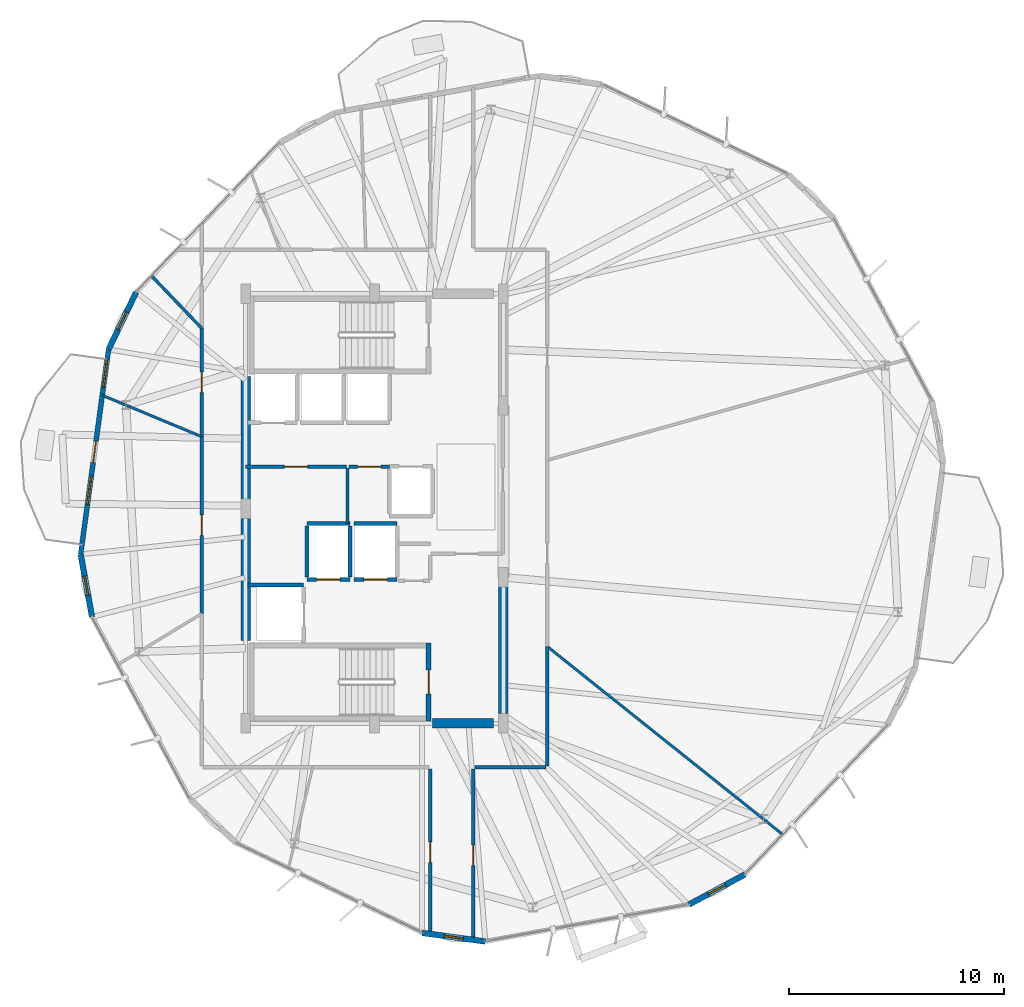
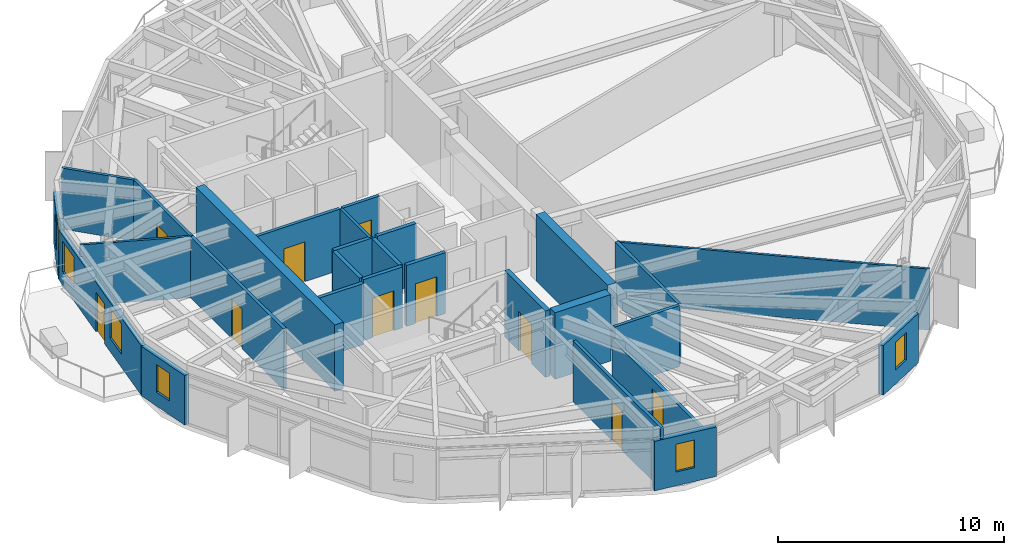
# One storey, part 22 of 27: 28 walls, 10 doors, 6 windows, 16 openings.
"""IFC4 building model written with IfcOpenShell, lengths in metres."""

from ifc_helpers import new_model, si_unit, direction, frame, frame_2d, origin, place, context, subcontext, project, spatial, rectangle, extrude, material, layer, layer_set, type_object, element, fill, save


model = new_model("IFC4")

# Units and contexts
model_context = context("Model", 3, precision=1e-05, world=origin(), true_north=direction((0.0, 1.0)))
body_context = subcontext(model_context, "Body", "Model", "MODEL_VIEW")
ifc_project = project(units=[si_unit("LENGTHUNIT", "METRE"), si_unit("AREAUNIT", "SQUARE_METRE"), si_unit("VOLUMEUNIT", "CUBIC_METRE"), si_unit("PLANEANGLEUNIT", "RADIAN"), si_unit("MASSUNIT", "GRAM", prefix="KILO")], contexts=[model_context])

# Site, building, storey
site_placement = place(None, origin())
site = spatial("IfcSite", under=ifc_project, at=site_placement, CompositionType="ELEMENT")
building_placement = place(site_placement, origin())
building = spatial("IfcBuilding", under=site, at=building_placement, Name="Soratama Intermodal Tower", CompositionType="ELEMENT")
storey_placement = place(building_placement, frame((0.0, 0.0, 208.60009765625)))
storey = spatial("IfcBuildingStorey", under=building, at=storey_placement, Name="L52", CompositionType="ELEMENT", Elevation=208.60009765625)

# Wall, openings, door, windows
ifc_material_1 = material(Name="Concrete f'c 42 MPa", Category="concrete")
ifc_layer_1 = layer(ifc_material_1, 0.22998046875)
ifc_layer_set_1 = layer_set([ifc_layer_1], Name="Concrete f'c 42 MPa")
wall_type_1 = type_object("IfcWallType", Name="EW-BAL-230", PredefinedType="SOLIDWALL", material=ifc_layer_set_1)
wall_1_placement = place(storey_placement, frame((26.216796875, 32.4091796875, 0.0), z_axis=(0.0, 0.0, 1.0), x_axis=(-0.134677360418, -0.990889503724, 0.0)))
wall_1 = element("IfcWall", 1, at=wall_1_placement, inside=storey, type_object=wall_type_1, Name="L52 Terrace Wall F04", PredefinedType="SOLIDWALL", context=body_context, shape_type="SweptSolid", body=[
    extrude(rectangle(XDim=9.6240234375, YDim=0.22998046875, at=frame_2d((4.81201171875, 0.0))), origin(), (0.0, 0.0, 1.0), 2.678955078125),
])
opening_1_placement = place(wall_1_placement, frame((4.31201171875, 0.0, 0.0)))
opening_1 = element("IfcOpeningElement", 2, at=opening_1_placement, cuts=wall_1, Name="Opening ED-2", PredefinedType="OPENING", context=body_context, shape_type="SweptSolid", body=[
    extrude(rectangle(XDim=1.0, YDim=2.14990234375, at=frame_2d((0.5, 1.074951171875))), frame((0.0, 0.125, 0.0), z_axis=(0.0, -1.0, 0.0), x_axis=(1.0, 0.0, 0.0)), (0.0, 0.0, 1.0), 0.25),
])
opening_2_placement = place(wall_1_placement, frame((0.43994140625, 0.0, 0.719970703125)))
opening_2 = element("IfcOpeningElement", 3, at=opening_2_placement, cuts=wall_1, Name="Opening WN-4", PredefinedType="OPENING", context=body_context, shape_type="SweptSolid", body=[
    extrude(rectangle(XDim=1.35009765625, YDim=1.64990234375, at=frame_2d((0.675048828125, 0.824951171875))), frame((0.0, 0.125, 0.0), z_axis=(0.0, -1.0, 0.0), x_axis=(1.0, 0.0, 0.0)), (0.0, 0.0, 1.0), 0.25),
])
opening_3_placement = place(wall_1_placement, frame((5.951904296875, 0.0, 0.719970703125)))
opening_3 = element("IfcOpeningElement", 4, at=opening_3_placement, cuts=wall_1, Name="Opening WN-4", PredefinedType="OPENING", context=body_context, shape_type="SweptSolid", body=[
    extrude(rectangle(XDim=1.35009765625, YDim=1.64990234375, at=frame_2d((0.675048828125, 0.824951171875))), frame((0.0, 0.125, 0.0), z_axis=(0.0, -1.0, 0.0), x_axis=(1.0, 0.0, 0.0)), (0.0, 0.0, 1.0), 0.25),
])
ifc_material_2 = material(Name="Double-glazed aluminium door", Category="aluminium")
door_type_1 = type_object("IfcDoorType", Name="DR-BAL-1000", OperationType="NOTDEFINED", PredefinedType="DOOR", material=ifc_material_2)
door_1_placement = place(opening_1_placement, origin())
door_1 = element("IfcDoor", 5, at=door_1_placement, inside=storey, type_object=door_type_1, Name="L52 Balcony Door F04", OperationType="SINGLE_SWING_RIGHT", OverallHeight=2.14990234375, OverallWidth=1.0, PredefinedType="DOOR", context=body_context, shape_type="SweptSolid", body=[
    extrude(rectangle(XDim=1.0, YDim=2.14990234375, at=frame_2d((0.5, 1.074951171875))), frame((0.0, 0.02490234375, 0.0), z_axis=(0.0, -1.0, 0.0), x_axis=(1.0, 0.0, 0.0)), (0.0, 0.0, 1.0), 0.050048828125),
])
fill(opening_1, door_1)
ifc_material_3 = material(Name="Double-glazed aluminium window", Category="aluminium")
window_type_1 = type_object("IfcWindowType", Name="WN-FAC-1350", PartitioningType="SINGLE_PANEL", PredefinedType="WINDOW", material=ifc_material_3)
window_1_placement = place(opening_2_placement, origin())
window_1 = element("IfcWindow", 6, at=window_1_placement, inside=storey, type_object=window_type_1, Name="L52 Window A F04", OverallHeight=1.64990234375, OverallWidth=1.35009765625, PartitioningType="SINGLE_PANEL", PredefinedType="WINDOW", context=body_context, shape_type="SweptSolid", body=[
    extrude(rectangle(XDim=1.35009765625, YDim=1.64990234375, at=frame_2d((0.675048828125, 0.824951171875))), frame((0.0, 0.030029296875, 0.0), z_axis=(0.0, -1.0, 0.0), x_axis=(1.0, 0.0, 0.0)), (0.0, 0.0, 1.0), 0.06005859375),
])
fill(opening_2, window_1)
window_2_placement = place(opening_3_placement, origin())
window_2 = element("IfcWindow", 7, at=window_2_placement, inside=storey, type_object=window_type_1, Name="L52 Window B F04", OverallHeight=1.64990234375, OverallWidth=1.35009765625, PartitioningType="SINGLE_PANEL", PredefinedType="WINDOW", context=body_context, shape_type="SweptSolid", body=[
    extrude(rectangle(XDim=1.35009765625, YDim=1.64990234375, at=frame_2d((0.675048828125, 0.824951171875))), frame((0.0, 0.030029296875, 0.0), z_axis=(0.0, -1.0, 0.0), x_axis=(1.0, 0.0, 0.0)), (0.0, 0.0, 1.0), 0.06005859375),
])
fill(opening_3, window_2)

# Wall, opening, window
ifc_material_4 = material(Name="Concrete f'c 42 MPa", Category="concrete")
ifc_layer_2 = layer(ifc_material_4, 0.27001953125)
ifc_layer_set_2 = layer_set([ifc_layer_2], Name="Concrete f'c 42 MPa")
wall_type_2 = type_object("IfcWallType", Name="EW-CRN-270", PredefinedType="SOLIDWALL", material=ifc_layer_set_2)
wall_2_placement = place(storey_placement, frame((27.505126953125, 35.081298828125, 0.0), z_axis=(0.0, 0.0, 1.0), x_axis=(-0.434295608334, -0.900770406142, 0.0)))
wall_2 = element("IfcWall", 8, at=wall_2_placement, inside=storey, type_object=wall_type_2, Name="L52 Corner Closure Wall 03", PredefinedType="SOLIDWALL", context=body_context, shape_type="SweptSolid", body=[
    extrude(rectangle(XDim=2.966552734375, YDim=0.27001953125, at=frame_2d((1.4833984375, 0.0))), origin(), (0.0, 0.0, 1.0), 2.678955078125),
])
opening_4_placement = place(wall_2_placement, frame((1.033203125, 0.0, 0.75)))
opening_4 = element("IfcOpeningElement", 9, at=opening_4_placement, cuts=wall_2, Name="Opening WN-6", PredefinedType="OPENING", context=body_context, shape_type="SweptSolid", body=[
    extrude(rectangle(XDim=0.89990234375, YDim=1.5, at=frame_2d((0.449951171875, 0.75))), frame((0.0, 0.14501953125, 0.0), z_axis=(0.0, -1.0, 0.0), x_axis=(1.0, 0.0, 0.0)), (0.0, 0.0, 1.0), 0.2900390625),
])
ifc_material_5 = material(Name="Double-glazed aluminium window", Category="aluminium")
window_type_2 = type_object("IfcWindowType", Name="WN-FAC-900", PartitioningType="SINGLE_PANEL", PredefinedType="WINDOW", material=ifc_material_5)
window_3_placement = place(opening_4_placement, origin())
window_3 = element("IfcWindow", 10, at=window_3_placement, inside=storey, type_object=window_type_2, Name="L52 Corner Window 03", OverallHeight=1.5, OverallWidth=0.89990234375, PartitioningType="SINGLE_PANEL", PredefinedType="WINDOW", context=body_context, shape_type="SweptSolid", body=[
    extrude(rectangle(XDim=0.89990234375, YDim=1.5, at=frame_2d((0.449951171875, 0.75))), frame((0.0, 0.030029296875, 0.0), z_axis=(0.0, -1.0, 0.0), x_axis=(1.0, 0.0, 0.0)), (0.0, 0.0, 1.0), 0.06005859375),
])
fill(opening_4, window_3)

wall_3_placement = place(storey_placement, frame((24.920654296875, 22.872802734375, 0.0), z_axis=(0.0, 0.0, 1.0), x_axis=(0.178088753346, -0.984014428721, 0.0)))
wall_3 = element("IfcWall", 11, at=wall_3_placement, inside=storey, type_object=wall_type_2, Name="L52 Corner Closure Wall 04", PredefinedType="SOLIDWALL", context=body_context, shape_type="SweptSolid", body=[
    extrude(rectangle(XDim=2.966552734375, YDim=0.27001953125, at=frame_2d((1.4833984375, 0.0))), origin(), (0.0, 0.0, 1.0), 2.678955078125),
])
opening_5_placement = place(wall_3_placement, frame((1.033203125, 0.0, 0.75)))
opening_5 = element("IfcOpeningElement", 12, at=opening_5_placement, cuts=wall_3, Name="Opening WN-6", PredefinedType="OPENING", context=body_context, shape_type="SweptSolid", body=[
    extrude(rectangle(XDim=0.89990234375, YDim=1.5, at=frame_2d((0.449951171875, 0.75))), frame((0.0, 0.14501953125, 0.0), z_axis=(0.0, -1.0, 0.0), x_axis=(1.0, 0.0, 0.0)), (0.0, 0.0, 1.0), 0.2900390625),
])
window_4_placement = place(opening_5_placement, origin())
window_4 = element("IfcWindow", 13, at=window_4_placement, inside=storey, type_object=window_type_2, Name="L52 Corner Window 04", OverallHeight=1.5, OverallWidth=0.89990234375, PartitioningType="SINGLE_PANEL", PredefinedType="WINDOW", context=body_context, shape_type="SweptSolid", body=[
    extrude(rectangle(XDim=0.89990234375, YDim=1.5, at=frame_2d((0.449951171875, 0.75))), frame((0.0, 0.030029296875, 0.0), z_axis=(0.0, -1.0, 0.0), x_axis=(1.0, 0.0, 0.0)), (0.0, 0.0, 1.0), 0.06005859375),
])
fill(opening_5, window_4)

wall_4_placement = place(storey_placement, frame((40.818115234375, 5.24609375, 0.0), z_axis=(0.0, 0.0, 1.0), x_axis=(0.990884670692, -0.134712914702, 0.0)))
wall_4 = element("IfcWall", 14, at=wall_4_placement, inside=storey, type_object=wall_type_2, Name="L52 Corner Closure Wall 06", PredefinedType="SOLIDWALL", context=body_context, shape_type="SweptSolid", body=[
    extrude(rectangle(XDim=2.966796875, YDim=0.27001953125, at=frame_2d((1.4833984375, 0.0))), origin(), (0.0, 0.0, 1.0), 2.678955078125),
])
opening_6_placement = place(wall_4_placement, frame((1.033203125, 0.0, 0.75)))
opening_6 = element("IfcOpeningElement", 15, at=opening_6_placement, cuts=wall_4, Name="Opening WN-6", PredefinedType="OPENING", context=body_context, shape_type="SweptSolid", body=[
    extrude(rectangle(XDim=0.89990234375, YDim=1.5, at=frame_2d((0.449951171875, 0.75))), frame((0.0, 0.14501953125, 0.0), z_axis=(0.0, -1.0, 0.0), x_axis=(1.0, 0.0, 0.0)), (0.0, 0.0, 1.0), 0.2900390625),
])
window_5_placement = place(opening_6_placement, origin())
window_5 = element("IfcWindow", 16, at=window_5_placement, inside=storey, type_object=window_type_2, Name="L52 Corner Window 06", OverallHeight=1.5, OverallWidth=0.89990234375, PartitioningType="SINGLE_PANEL", PredefinedType="WINDOW", context=body_context, shape_type="SweptSolid", body=[
    extrude(rectangle(XDim=0.89990234375, YDim=1.5, at=frame_2d((0.449951171875, 0.75))), frame((0.0, 0.030029296875, 0.0), z_axis=(0.0, -1.0, 0.0), x_axis=(1.0, 0.0, 0.0)), (0.0, 0.0, 1.0), 0.06005859375),
])
fill(opening_6, window_5)

wall_5_placement = place(storey_placement, frame((53.227783203125, 6.560791015625, 0.0), z_axis=(0.0, 0.0, 1.0), x_axis=(0.880819678066, 0.473451892732, 0.0)))
wall_5 = element("IfcWall", 17, at=wall_5_placement, inside=storey, type_object=wall_type_2, Name="L52 Corner Closure Wall 07", PredefinedType="SOLIDWALL", context=body_context, shape_type="SweptSolid", body=[
    extrude(rectangle(XDim=2.966552734375, YDim=0.27001953125, at=frame_2d((1.4833984375, 0.0))), origin(), (0.0, 0.0, 1.0), 2.678955078125),
])
opening_7_placement = place(wall_5_placement, frame((1.033203125, 0.0, 0.75)))
opening_7 = element("IfcOpeningElement", 18, at=opening_7_placement, cuts=wall_5, Name="Opening WN-6", PredefinedType="OPENING", context=body_context, shape_type="SweptSolid", body=[
    extrude(rectangle(XDim=0.89990234375, YDim=1.5, at=frame_2d((0.449951171875, 0.75))), frame((0.0, 0.14501953125, 0.0), z_axis=(0.0, -1.0, 0.0), x_axis=(1.0, 0.0, 0.0)), (0.0, 0.0, 1.0), 0.2900390625),
])
window_6_placement = place(opening_7_placement, origin())
window_6 = element("IfcWindow", 19, at=window_6_placement, inside=storey, type_object=window_type_2, Name="L52 Corner Window 07", OverallHeight=1.5, OverallWidth=0.89990234375, PartitioningType="SINGLE_PANEL", PredefinedType="WINDOW", context=body_context, shape_type="SweptSolid", body=[
    extrude(rectangle(XDim=0.89990234375, YDim=1.5, at=frame_2d((0.449951171875, 0.75))), frame((0.0, 0.030029296875, 0.0), z_axis=(0.0, -1.0, 0.0), x_axis=(1.0, 0.0, 0.0)), (0.0, 0.0, 1.0), 0.06005859375),
])
fill(opening_7, window_6)

# Wall, opening, door
ifc_material_6 = material(Name="Fire-rated gypsum stud partition", Category="concrete")
ifc_layer_3 = layer(ifc_material_6, 0.159912109375)
ifc_layer_set_3 = layer_set([ifc_layer_3], Name="Fire-rated gypsum stud partition")
wall_type_3 = type_object("IfcWallType", Name="IW-PART-R160", PredefinedType="PARTITIONING", material=ifc_layer_set_3)
wall_6_placement = place(storey_placement, frame((30.550048828125, 20.10595703125, 0.0), z_axis=(0.0, 0.0, 1.0), x_axis=(0.0, 1.0, 0.0)))
wall_6 = element("IfcWall", 20, at=wall_6_placement, inside=storey, type_object=wall_type_3, Name="L52 Partition W-L52-TP005", PredefinedType="PARTITIONING", context=body_context, shape_type="SweptSolid", body=[
    extrude(rectangle(XDim=8.2451171875, YDim=0.159912109375, at=frame_2d((4.12255859375, 0.0))), origin(), (0.0, 0.0, 1.0), 3.2998046875),
])
opening_8_placement = place(wall_6_placement, frame((3.64697265625, 0.0, 0.0)))
opening_8 = element("IfcOpeningElement", 21, at=opening_8_placement, cuts=wall_6, Name="Opening ID-3", PredefinedType="OPENING", context=body_context, shape_type="SweptSolid", body=[
    extrude(rectangle(XDim=0.949951171875, YDim=2.14990234375, at=frame_2d((0.47509765625, 1.074951171875))), frame((0.0, 0.08984375, 0.0), z_axis=(0.0, -1.0, 0.0), x_axis=(1.0, 0.0, 0.0)), (0.0, 0.0, 1.0), 0.179931640625),
])
ifc_material_7 = material(Name="Solid hardwood acoustic door", Category="wood")
door_type_2 = type_object("IfcDoorType", Name="DR-ROOM-950", OperationType="NOTDEFINED", PredefinedType="DOOR", material=ifc_material_7)
door_2_placement = place(opening_8_placement, origin())
door_2 = element("IfcDoor", 22, at=door_2_placement, inside=storey, type_object=door_type_2, Name="L52 Door D-L52-TP003", OperationType="SINGLE_SWING_RIGHT", OverallHeight=2.14990234375, OverallWidth=0.949951171875, PredefinedType="DOOR", context=body_context, shape_type="SweptSolid", body=[
    extrude(rectangle(XDim=0.949951171875, YDim=2.14990234375, at=frame_2d((0.47509765625, 1.074951171875))), frame((0.0, 0.02490234375, 0.0), z_axis=(0.0, -1.0, 0.0), x_axis=(1.0, 0.0, 0.0)), (0.0, 0.0, 1.0), 0.050048828125),
])
fill(opening_8, door_2)

wall_7_placement = place(storey_placement, frame((43.199951171875, 12.8798828125, 0.0), z_axis=(0.0, 0.0, 1.0), x_axis=(0.0, -1.0, 0.0)))
wall_7 = element("IfcWall", 23, at=wall_7_placement, inside=storey, type_object=wall_type_3, Name="L52 Partition W-L52-TP006", PredefinedType="PARTITIONING", context=body_context, shape_type="SweptSolid", body=[
    extrude(rectangle(XDim=8.0458984375, YDim=0.159912109375, at=frame_2d((4.02294921875, 0.0))), origin(), (0.0, 0.0, 1.0), 2.677978515625),
])
opening_9_placement = place(wall_7_placement, frame((3.548095703125, 0.0, 0.0)))
opening_9 = element("IfcOpeningElement", 24, at=opening_9_placement, cuts=wall_7, Name="Opening ID-3", PredefinedType="OPENING", context=body_context, shape_type="SweptSolid", body=[
    extrude(rectangle(XDim=0.949951171875, YDim=2.14990234375, at=frame_2d((0.47509765625, 1.074951171875))), frame((0.0, 0.08984375, 0.0), z_axis=(0.0, -1.0, 0.0), x_axis=(1.0, 0.0, 0.0)), (0.0, 0.0, 1.0), 0.179931640625),
])
door_3_placement = place(opening_9_placement, origin())
door_3 = element("IfcDoor", 25, at=door_3_placement, inside=storey, type_object=door_type_2, Name="L52 Door D-L52-TP004", OperationType="SINGLE_SWING_LEFT", OverallHeight=2.14990234375, OverallWidth=0.949951171875, PredefinedType="DOOR", context=body_context, shape_type="SweptSolid", body=[
    extrude(rectangle(XDim=0.949951171875, YDim=2.14990234375, at=frame_2d((0.47509765625, 1.074951171875))), frame((0.0, 0.02490234375, 0.0), z_axis=(0.0, -1.0, 0.0), x_axis=(1.0, 0.0, 0.0)), (0.0, 0.0, 1.0), 0.050048828125),
])
fill(opening_9, door_3)

wall_8_placement = place(storey_placement, frame((41.199951171875, 5.131103515625, 0.0), z_axis=(0.0, 0.0, 1.0), x_axis=(0.0, 1.0, 0.0)))
wall_8 = element("IfcWall", 26, at=wall_8_placement, inside=storey, type_object=wall_type_3, Name="L52 Partition W-L52-TP007", PredefinedType="PARTITIONING", context=body_context, shape_type="SweptSolid", body=[
    extrude(rectangle(XDim=7.748779296875, YDim=0.159912109375, at=frame_2d((3.87451171875, 0.0))), origin(), (0.0, 0.0, 1.0), 3.2998046875),
])
opening_10_placement = place(wall_8_placement, frame((3.39990234375, 0.0, 0.0)))
opening_10 = element("IfcOpeningElement", 27, at=opening_10_placement, cuts=wall_8, Name="Opening ID-3", PredefinedType="OPENING", context=body_context, shape_type="SweptSolid", body=[
    extrude(rectangle(XDim=0.949951171875, YDim=2.14990234375, at=frame_2d((0.47509765625, 1.074951171875))), frame((0.0, 0.08984375, 0.0), z_axis=(0.0, -1.0, 0.0), x_axis=(1.0, 0.0, 0.0)), (0.0, 0.0, 1.0), 0.179931640625),
])
door_4_placement = place(opening_10_placement, origin())
door_4 = element("IfcDoor", 28, at=door_4_placement, inside=storey, type_object=door_type_2, Name="L52 Door D-L52-TP005", OperationType="SINGLE_SWING_RIGHT", OverallHeight=2.14990234375, OverallWidth=0.949951171875, PredefinedType="DOOR", context=body_context, shape_type="SweptSolid", body=[
    extrude(rectangle(XDim=0.949951171875, YDim=2.14990234375, at=frame_2d((0.47509765625, 1.074951171875))), frame((0.0, 0.02490234375, 0.0), z_axis=(0.0, -1.0, 0.0), x_axis=(1.0, 0.0, 0.0)), (0.0, 0.0, 1.0), 0.050048828125),
])
fill(opening_10, door_4)

# Wall
wall_9_placement = place(storey_placement, frame((46.64990234375, 18.572998046875, 0.0), z_axis=(0.0, 0.0, 1.0), x_axis=(0.0, -1.0, 0.0)))
element("IfcWall", 29, at=wall_9_placement, inside=storey, type_object=wall_type_3, Name="L52 Partition W-L52-TP013", PredefinedType="PARTITIONING", context=body_context, shape_type="SweptSolid", body=[
    extrude(rectangle(XDim=5.552978515625, YDim=0.159912109375, at=frame_2d((2.7763671875, 0.0))), origin(), (0.0, 0.0, 1.0), 3.2998046875),
])

# Wall, opening, door
wall_10_placement = place(storey_placement, frame((30.550048828125, 28.35107421875, 0.0), z_axis=(0.0, 0.0, 1.0), x_axis=(0.0, 1.0, 0.0)))
wall_10 = element("IfcWall", 30, at=wall_10_placement, inside=storey, type_object=wall_type_3, Name="L52 Partition W-L52-TP016", PredefinedType="PARTITIONING", context=body_context, shape_type="SweptSolid", body=[
    extrude(rectangle(XDim=5.0498046875, YDim=0.159912109375, at=frame_2d((2.52490234375, 0.0))), origin(), (0.0, 0.0, 1.0), 3.2998046875),
])
opening_11_placement = place(wall_10_placement, frame((2.050048828125, 0.0, 0.0)))
opening_11 = element("IfcOpeningElement", 31, at=opening_11_placement, cuts=wall_10, Name="Opening ID-3", PredefinedType="OPENING", context=body_context, shape_type="SweptSolid", body=[
    extrude(rectangle(XDim=0.949951171875, YDim=2.14990234375, at=frame_2d((0.47509765625, 1.074951171875))), frame((0.0, 0.08984375, 0.0), z_axis=(0.0, -1.0, 0.0), x_axis=(1.0, 0.0, 0.0)), (0.0, 0.0, 1.0), 0.179931640625),
])
door_5_placement = place(opening_11_placement, origin())
door_5 = element("IfcDoor", 32, at=door_5_placement, inside=storey, type_object=door_type_2, Name="L52 Door D-L52-TP009", OperationType="SINGLE_SWING_RIGHT", OverallHeight=2.14990234375, OverallWidth=0.949951171875, PredefinedType="DOOR", context=body_context, shape_type="SweptSolid", body=[
    extrude(rectangle(XDim=0.949951171875, YDim=2.14990234375, at=frame_2d((0.47509765625, 1.074951171875))), frame((0.0, 0.02490234375, 0.0), z_axis=(0.0, -1.0, 0.0), x_axis=(1.0, 0.0, 0.0)), (0.0, 0.0, 1.0), 0.050048828125),
])
fill(opening_11, door_5)

wall_11_placement = place(storey_placement, frame((37.2900390625, 26.93994140625, 0.0), z_axis=(0.0, 0.0, 1.0), x_axis=(-1.0, 0.0, 0.0)))
wall_11 = element("IfcWall", 33, at=wall_11_placement, inside=storey, type_object=wall_type_3, Name="L52 Partition W-L52-TP021", PredefinedType="PARTITIONING", context=body_context, shape_type="SweptSolid", body=[
    extrude(rectangle(XDim=4.68994140625, YDim=0.159912109375, at=frame_2d((2.344970703125, 0.0))), origin(), (0.0, 0.0, 1.0), 3.2998046875),
])
opening_12_placement = place(wall_11_placement, frame((1.804931640625, 0.0, 0.0)))
opening_12 = element("IfcOpeningElement", 34, at=opening_12_placement, cuts=wall_11, Name="Opening ID-1", PredefinedType="OPENING", context=body_context, shape_type="SweptSolid", body=[
    extrude(rectangle(XDim=1.080078125, YDim=2.14990234375, at=frame_2d((0.5400390625, 1.074951171875))), frame((0.0, 0.08984375, 0.0), z_axis=(0.0, -1.0, 0.0), x_axis=(1.0, 0.0, 0.0)), (0.0, 0.0, 1.0), 0.179931640625),
])
ifc_material_8 = material(Name="Solid hardwood acoustic door", Category="wood")
door_type_3 = type_object("IfcDoorType", Name="DR-LOB-FD60", OperationType="NOTDEFINED", PredefinedType="DOOR", material=ifc_material_8)
door_6_placement = place(opening_12_placement, origin())
door_6 = element("IfcDoor", 35, at=door_6_placement, inside=storey, type_object=door_type_3, Name="L52 Door D-L52-TP011", OperationType="SINGLE_SWING_RIGHT", OverallHeight=2.14990234375, OverallWidth=1.080078125, PredefinedType="DOOR", context=body_context, shape_type="SweptSolid", body=[
    extrude(rectangle(XDim=1.080078125, YDim=2.14990234375, at=frame_2d((0.5400390625, 1.074951171875))), frame((0.0, 0.02490234375, 0.0), z_axis=(0.0, -1.0, 0.0), x_axis=(1.0, 0.0, 0.0)), (0.0, 0.0, 1.0), 0.050048828125),
])
fill(opening_12, door_6)

# Wall
wall_12_placement = place(storey_placement, frame((46.580078125, 12.949951171875, 0.0), z_axis=(0.0, 0.0, 1.0), x_axis=(-1.0, 0.0, 0.0)))
element("IfcWall", 36, at=wall_12_placement, inside=storey, type_object=wall_type_3, Name="L52 Partition W-L52-TP028", PredefinedType="PARTITIONING", context=body_context, shape_type="SweptSolid", body=[
    extrude(rectangle(XDim=3.31005859375, YDim=0.159912109375, at=frame_2d((1.655029296875, 0.0))), origin(), (0.0, 0.0, 1.0), 3.2998046875),
])

# Wall, opening, door
wall_13_placement = place(storey_placement, frame((39.300048828125, 26.93994140625, 0.0), z_axis=(0.0, 0.0, 1.0), x_axis=(-1.0, 0.0, 0.0)))
wall_13 = element("IfcWall", 37, at=wall_13_placement, inside=storey, type_object=wall_type_3, Name="L52 Partition W-L52-TP031", PredefinedType="PARTITIONING", context=body_context, shape_type="SweptSolid", body=[
    extrude(rectangle(XDim=1.89013671875, YDim=0.159912109375, at=frame_2d((0.945068359375, 0.0))), origin(), (0.0, 0.0, 1.0), 3.2998046875),
])
opening_13_placement = place(wall_13_placement, frame((0.405029296875, 0.0, 0.0)))
opening_13 = element("IfcOpeningElement", 38, at=opening_13_placement, cuts=wall_13, Name="Opening ID-1", PredefinedType="OPENING", context=body_context, shape_type="SweptSolid", body=[
    extrude(rectangle(XDim=1.080078125, YDim=2.14990234375, at=frame_2d((0.5400390625, 1.074951171875))), frame((0.0, 0.08984375, 0.0), z_axis=(0.0, -1.0, 0.0), x_axis=(1.0, 0.0, 0.0)), (0.0, 0.0, 1.0), 0.179931640625),
])
door_7_placement = place(opening_13_placement, origin())
door_7 = element("IfcDoor", 39, at=door_7_placement, inside=storey, type_object=door_type_3, Name="L52 Door D-L52-TP014", OperationType="SINGLE_SWING_LEFT", OverallHeight=2.14990234375, OverallWidth=1.080078125, PredefinedType="DOOR", context=body_context, shape_type="SweptSolid", body=[
    extrude(rectangle(XDim=1.080078125, YDim=2.14990234375, at=frame_2d((0.5400390625, 1.074951171875))), frame((0.0, 0.02490234375, 0.0), z_axis=(0.0, -1.0, 0.0), x_axis=(1.0, 0.0, 0.0)), (0.0, 0.0, 1.0), 0.050048828125),
])
fill(opening_13, door_7)

# Walls
ifc_material_9 = material(Name="Fire-rated gypsum stud partition", Category="concrete")
ifc_layer_4 = layer(ifc_material_9, 0.1201171875)
ifc_layer_set_4 = layer_set([ifc_layer_4], Name="Fire-rated gypsum stud partition")
wall_type_4 = type_object("IfcWallType", Name="IW-PART-S120", PredefinedType="PARTITIONING", material=ifc_layer_set_4)
wall_14_placement = place(storey_placement, frame((46.64990234375, 18.572998046875, 0.0), z_axis=(0.0, 0.0, 1.0), x_axis=(0.781499914216, -0.623905348655, 0.0)))
element("IfcWall", 40, at=wall_14_placement, inside=storey, type_object=wall_type_4, Name="L52 Partition W-L52-TP002", PredefinedType="PARTITIONING", context=body_context, shape_type="SweptSolid", body=[
    extrude(rectangle(XDim=14.03076171875, YDim=0.1201171875, at=frame_2d((7.015380859375, 0.0))), origin(), (0.0, 0.0, 1.0), 3.2998046875),
])
wall_15_placement = place(storey_placement, frame((30.550048828125, 28.35107421875, 0.0), z_axis=(0.0, 0.0, 1.0), x_axis=(-0.923319097145, 0.384033650671, 0.0)))
element("IfcWall", 41, at=wall_15_placement, inside=storey, type_object=wall_type_4, Name="L52 Partition W-L52-TP017", PredefinedType="PARTITIONING", context=body_context, shape_type="SweptSolid", body=[
    extrude(rectangle(XDim=5.007080078125, YDim=0.1201171875, at=frame_2d((2.50341796875, 0.0))), origin(), (0.0, 0.0, 1.0), 3.2998046875),
])
ifc_material_10 = material(Name="Fire-rated gypsum stud partition", Category="concrete")
ifc_layer_5 = layer(ifc_material_10, 0.139892578125)
ifc_layer_set_5 = layer_set([ifc_layer_5], Name="Fire-rated gypsum stud partition")
wall_type_5 = type_object("IfcWallType", Name="IW-PART-S140", PredefinedType="PARTITIONING", material=ifc_layer_set_5)
wall_16_placement = place(storey_placement, frame((30.550048828125, 33.40087890625, 0.0), z_axis=(0.0, 0.0, 1.0), x_axis=(-0.691782454631, 0.722105972462, 0.0)))
element("IfcWall", 42, at=wall_16_placement, inside=storey, type_object=wall_type_5, Name="L52 Partition W-L52-TP025", PredefinedType="PARTITIONING", context=body_context, shape_type="SweptSolid", body=[
    extrude(rectangle(XDim=3.365478515625, YDim=0.139892578125, at=frame_2d((1.6826171875, 0.0))), origin(), (0.0, 0.0, 1.0), 3.2998046875),
])
wall_17_placement = place(storey_placement, frame((37.35009765625, 26.8798828125, 0.0), z_axis=(0.0, 0.0, 1.0), x_axis=(0.0, -1.0, 0.0)))
element("IfcWall", 43, at=wall_17_placement, inside=storey, type_object=wall_type_5, Name="L52 Partition W-L52-TP030", PredefinedType="PARTITIONING", context=body_context, shape_type="SweptSolid", body=[
    extrude(rectangle(XDim=2.579833984375, YDim=0.139892578125, at=frame_2d((1.2900390625, 0.0))), origin(), (0.0, 0.0, 1.0), 3.2998046875),
])

# Wall, opening, door
ifc_material_11 = material(Name="Concrete f'c 42 MPa", Category="concrete")
ifc_layer_6 = layer(ifc_material_11, 0.18505859375)
ifc_layer_set_6 = layer_set([ifc_layer_6], Name="Concrete f'c 42 MPa")
wall_type_6 = type_object("IfcWallType", Name="IW-SHAFT-185", PredefinedType="SOLIDWALL", material=ifc_layer_set_6)
wall_18_placement = place(storey_placement, frame((35.449951171875, 21.699951171875, 0.0), z_axis=(0.0, 0.0, 1.0), x_axis=(1.0, 0.0, 0.0)))
wall_18 = element("IfcWall", 44, at=wall_18_placement, inside=storey, type_object=wall_type_6, Name="L52 FFL-1 Hoistway Wall S", PredefinedType="SOLIDWALL", context=body_context, shape_type="SweptSolid", body=[
    extrude(rectangle(XDim=2.0, YDim=0.18505859375, at=frame_2d((1.0, 0.0))), origin(), (0.0, 0.0, 1.0), 3.2998046875),
])
opening_14_placement = place(wall_18_placement, frame((0.449951171875, 0.0, 0.0)))
opening_14 = element("IfcOpeningElement", 45, at=opening_14_placement, cuts=wall_18, Name="Opening LD-1", PredefinedType="OPENING", context=body_context, shape_type="SweptSolid", body=[
    extrude(rectangle(XDim=1.10009765625, YDim=2.14990234375, at=frame_2d((0.550048828125, 1.074951171875))), frame((0.0, 0.1025390625, 0.0), z_axis=(0.0, -1.0, 0.0), x_axis=(1.0, 0.0, 0.0)), (0.0, 0.0, 1.0), 0.205078125),
])
ifc_material_12 = material(Name="Steel fire door", Category="steel")
door_type_4 = type_object("IfcDoorType", Name="DR-LIFT-SLIDE", OperationType="NOTDEFINED", PredefinedType="DOOR", material=ifc_material_12)
door_8_placement = place(opening_14_placement, origin())
door_8 = element("IfcDoor", 46, at=door_8_placement, inside=storey, type_object=door_type_4, Name="L52 FFL-1 Sliding Landing Door", OperationType="SLIDING_TO_LEFT", OverallHeight=2.14990234375, OverallWidth=1.10009765625, PredefinedType="DOOR", context=body_context, shape_type="SweptSolid", body=[
    extrude(rectangle(XDim=1.10009765625, YDim=2.14990234375, at=frame_2d((0.550048828125, 1.074951171875))), frame((0.0, 0.02490234375, 0.0), z_axis=(0.0, -1.0, 0.0), x_axis=(1.0, 0.0, 0.0)), (0.0, 0.0, 1.0), 0.050048828125),
])
fill(opening_14, door_8)

# Walls
wall_19_placement = place(storey_placement, frame((35.449951171875, 24.300048828125, 0.0), z_axis=(0.0, 0.0, 1.0), x_axis=(1.0, 0.0, 0.0)))
element("IfcWall", 47, at=wall_19_placement, inside=storey, type_object=wall_type_6, Name="L52 FFL-1 Hoistway Wall N", PredefinedType="SOLIDWALL", context=body_context, shape_type="SweptSolid", body=[
    extrude(rectangle(XDim=2.0, YDim=0.18505859375, at=frame_2d((1.0, 0.0))), origin(), (0.0, 0.0, 1.0), 3.2998046875),
])
for number, where, z_axis, x_axis, name in (
    (48, (35.449951171875, 21.81005859375, 0.0), (0.0, 0.0, 1.0), (0.0, 1.0, 0.0), "L52 FFL-1 Hoistway Wall W"),
    (49, (37.449951171875, 21.81005859375, 0.0), (0.0, 0.0, 1.0), (0.0, 1.0, 0.0), "L52 FFL-1 Hoistway Wall E"),
):
    element("IfcWall", number, at=place(storey_placement, frame(where, z_axis=z_axis, x_axis=x_axis)), inside=storey, type_object=wall_type_6, Name=name, PredefinedType="SOLIDWALL", context=body_context, shape_type="SweptSolid", body=[
        extrude(rectangle(XDim=2.3798828125, YDim=0.18505859375, at=frame_2d((1.18994140625, 0.0))), origin(), (0.0, 0.0, 1.0), 3.2998046875),
    ])

# Wall, opening, door
wall_20_placement = place(storey_placement, frame((37.64990234375, 21.699951171875, 0.0), z_axis=(0.0, 0.0, 1.0), x_axis=(1.0, 0.0, 0.0)))
wall_20 = element("IfcWall", 50, at=wall_20_placement, inside=storey, type_object=wall_type_6, Name="L52 FFL-2 Hoistway Wall S", PredefinedType="SOLIDWALL", context=body_context, shape_type="SweptSolid", body=[
    extrude(rectangle(XDim=2.0, YDim=0.18505859375, at=frame_2d((1.0, 0.0))), origin(), (0.0, 0.0, 1.0), 3.2998046875),
])
opening_15_placement = place(wall_20_placement, frame((0.449951171875, 0.0, 0.0)))
opening_15 = element("IfcOpeningElement", 51, at=opening_15_placement, cuts=wall_20, Name="Opening LD-1", PredefinedType="OPENING", context=body_context, shape_type="SweptSolid", body=[
    extrude(rectangle(XDim=1.10009765625, YDim=2.14990234375, at=frame_2d((0.550048828125, 1.074951171875))), frame((0.0, 0.1025390625, 0.0), z_axis=(0.0, -1.0, 0.0), x_axis=(1.0, 0.0, 0.0)), (0.0, 0.0, 1.0), 0.205078125),
])
door_9_placement = place(opening_15_placement, origin())
door_9 = element("IfcDoor", 52, at=door_9_placement, inside=storey, type_object=door_type_4, Name="L52 FFL-2 Sliding Landing Door", OperationType="SLIDING_TO_LEFT", OverallHeight=2.14990234375, OverallWidth=1.10009765625, PredefinedType="DOOR", context=body_context, shape_type="SweptSolid", body=[
    extrude(rectangle(XDim=1.10009765625, YDim=2.14990234375, at=frame_2d((0.550048828125, 1.074951171875))), frame((0.0, 0.02490234375, 0.0), z_axis=(0.0, -1.0, 0.0), x_axis=(1.0, 0.0, 0.0)), (0.0, 0.0, 1.0), 0.050048828125),
])
fill(opening_15, door_9)

# Walls
wall_21_placement = place(storey_placement, frame((37.64990234375, 24.300048828125, 0.0), z_axis=(0.0, 0.0, 1.0), x_axis=(1.0, 0.0, 0.0)))
element("IfcWall", 53, at=wall_21_placement, inside=storey, type_object=wall_type_6, Name="L52 FFL-2 Hoistway Wall N", PredefinedType="SOLIDWALL", context=body_context, shape_type="SweptSolid", body=[
    extrude(rectangle(XDim=2.0, YDim=0.18505859375, at=frame_2d((1.0, 0.0))), origin(), (0.0, 0.0, 1.0), 3.2998046875),
])
wall_22_placement = place(storey_placement, frame((32.719970703125, 21.449951171875, 0.0), z_axis=(0.0, 0.0, 1.0), x_axis=(1.0, 0.0, 0.0)))
element("IfcWall", 54, at=wall_22_placement, inside=storey, type_object=wall_type_6, Name="L52 SVL-1 Hoistway Wall N", PredefinedType="SOLIDWALL", context=body_context, shape_type="SweptSolid", body=[
    extrude(rectangle(XDim=2.580078125, YDim=0.18505859375, at=frame_2d((1.2900390625, 0.0))), origin(), (0.0, 0.0, 1.0), 3.2998046875),
])
ifc_material_13 = material(Name="Concrete f'c 56 MPa", Category="concrete")
ifc_layer_7 = layer(ifc_material_13, 0.449951171875)
ifc_layer_set_7 = layer_set([ifc_layer_7], Name="Concrete f'c 56 MPa")
wall_type_7 = type_object("IfcWallType", Name="SW-CORE-450", PredefinedType="SHEAR", material=ifc_layer_set_7)
wall_23_placement = place(storey_placement, frame((32.60009765625, 18.85009765625, 0.0), z_axis=(0.0, 0.0, 1.0), x_axis=(0.0, 1.0, 0.0)))
element("IfcWall", 55, at=wall_23_placement, inside=storey, type_object=wall_type_7, Name="L52 Core Shear Wall CW-WMID", PredefinedType="SHEAR", context=body_context, shape_type="SweptSolid", body=[
    extrude(rectangle(XDim=12.2998046875, YDim=0.449951171875, at=frame_2d((6.14990234375, 0.0))), origin(), (0.0, 0.0, 1.0), 3.599853515625),
])
wall_24_placement = place(storey_placement, frame((41.300048828125, 15.0, 0.0), z_axis=(0.0, 0.0, 1.0), x_axis=(1.0, 0.0, 0.0)))
element("IfcWall", 56, at=wall_24_placement, inside=storey, type_object=wall_type_7, Name="L52 Core Shear Wall CW-SE", PredefinedType="SHEAR", context=body_context, shape_type="SweptSolid", body=[
    extrude(rectangle(XDim=2.849853515625, YDim=0.449951171875, at=frame_2d((1.4248046875, 0.0))), origin(), (0.0, 0.0, 1.0), 3.599853515625),
])
wall_25_placement = place(storey_placement, frame((44.60009765625, 15.449951171875, 0.0), z_axis=(0.0, 0.0, 1.0), x_axis=(0.0, 1.0, 0.0)))
element("IfcWall", 57, at=wall_25_placement, inside=storey, type_object=wall_type_7, Name="L52 Core Shear Wall CW-ES", PredefinedType="SHEAR", context=body_context, shape_type="SweptSolid", body=[
    extrude(rectangle(XDim=6.35009765625, YDim=0.449951171875, at=frame_2d((3.175048828125, 0.0))), origin(), (0.0, 0.0, 1.0), 3.599853515625),
])

# Wall, opening, door
ifc_material_14 = material(Name="Concrete f'c 56 MPa", Category="concrete")
ifc_layer_8 = layer(ifc_material_14, 0.239990234375)
ifc_layer_set_8 = layer_set([ifc_layer_8], Name="Concrete f'c 56 MPa")
wall_type_8 = type_object("IfcWallType", Name="SW-STAIR-240", PredefinedType="SHEAR", material=ifc_layer_set_8)
wall_26_placement = place(storey_placement, frame((41.1201171875, 15.110107421875, 0.0), z_axis=(0.0, 0.0, 1.0), x_axis=(0.0, 1.0, 0.0)))
wall_26 = element("IfcWall", 58, at=wall_26_placement, inside=storey, type_object=wall_type_8, Name="L52 ST-1 Shaft Shear Wall E", PredefinedType="SHEAR", context=body_context, shape_type="SweptSolid", body=[
    extrude(rectangle(XDim=3.6298828125, YDim=0.239990234375, at=frame_2d((1.81494140625, 0.0))), origin(), (0.0, 0.0, 1.0), 3.599853515625),
])
opening_16_placement = place(wall_26_placement, frame((1.2548828125, 0.0, 0.0)))
opening_16 = element("IfcOpeningElement", 59, at=opening_16_placement, cuts=wall_26, Name="Opening SD-1", PredefinedType="OPENING", context=body_context, shape_type="SweptSolid", body=[
    extrude(rectangle(XDim=1.1201171875, YDim=2.14990234375, at=frame_2d((0.56005859375, 1.074951171875))), frame((0.0, 0.1298828125, 0.0), z_axis=(0.0, -1.0, 0.0), x_axis=(1.0, 0.0, 0.0)), (0.0, 0.0, 1.0), 0.260009765625),
])
ifc_material_15 = material(Name="Steel fire door", Category="steel")
door_type_5 = type_object("IfcDoorType", Name="DR-STAIR-FD90", OperationType="NOTDEFINED", PredefinedType="DOOR", material=ifc_material_15)
door_10_placement = place(opening_16_placement, origin())
door_10 = element("IfcDoor", 60, at=door_10_placement, inside=storey, type_object=door_type_5, Name="L52 ST-1 Exit Stair Door", OperationType="SINGLE_SWING_LEFT", OverallHeight=2.14990234375, OverallWidth=1.1201171875, PredefinedType="DOOR", context=body_context, shape_type="SweptSolid", body=[
    extrude(rectangle(XDim=1.1201171875, YDim=2.14990234375, at=frame_2d((0.56005859375, 1.074951171875))), frame((0.0, 0.02490234375, 0.0), z_axis=(0.0, -1.0, 0.0), x_axis=(1.0, 0.0, 0.0)), (0.0, 0.0, 1.0), 0.050048828125),
])
fill(opening_16, door_10)

save(model, "model.ifc")
